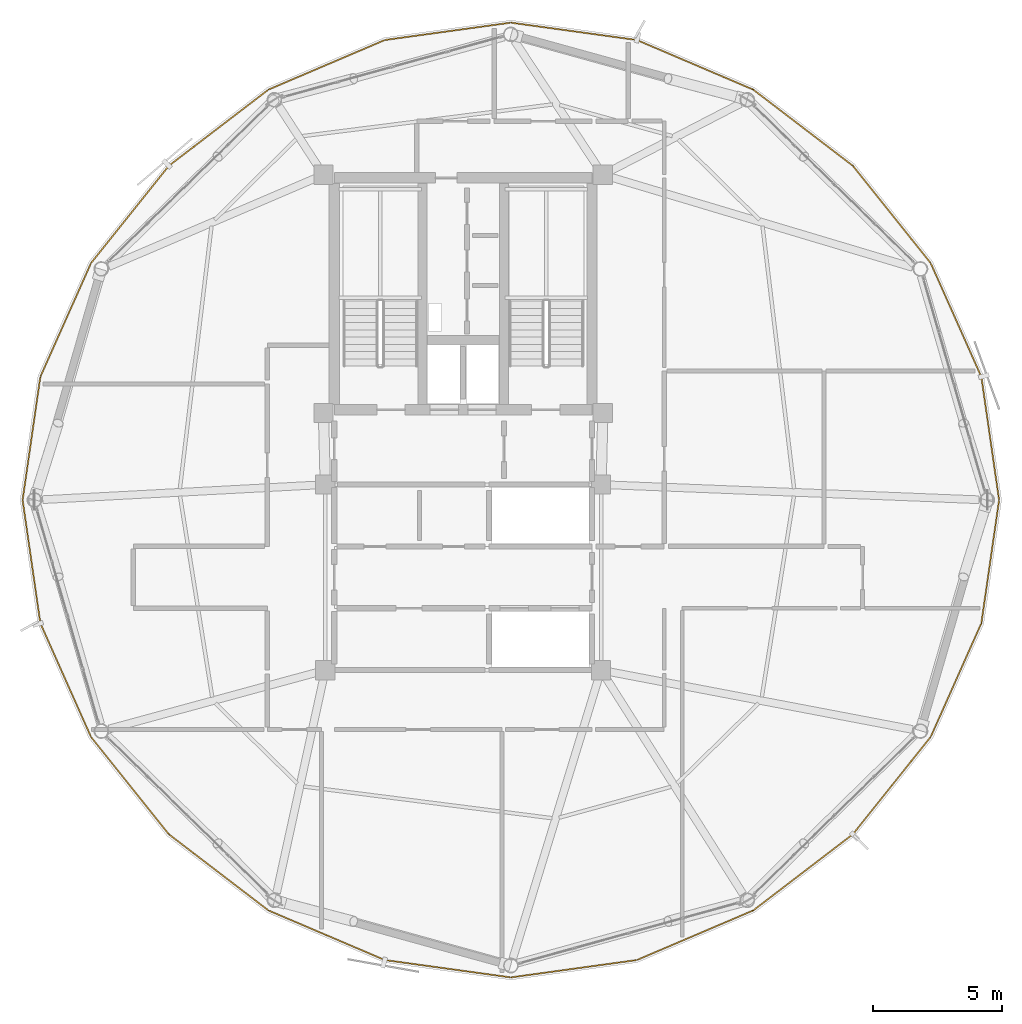
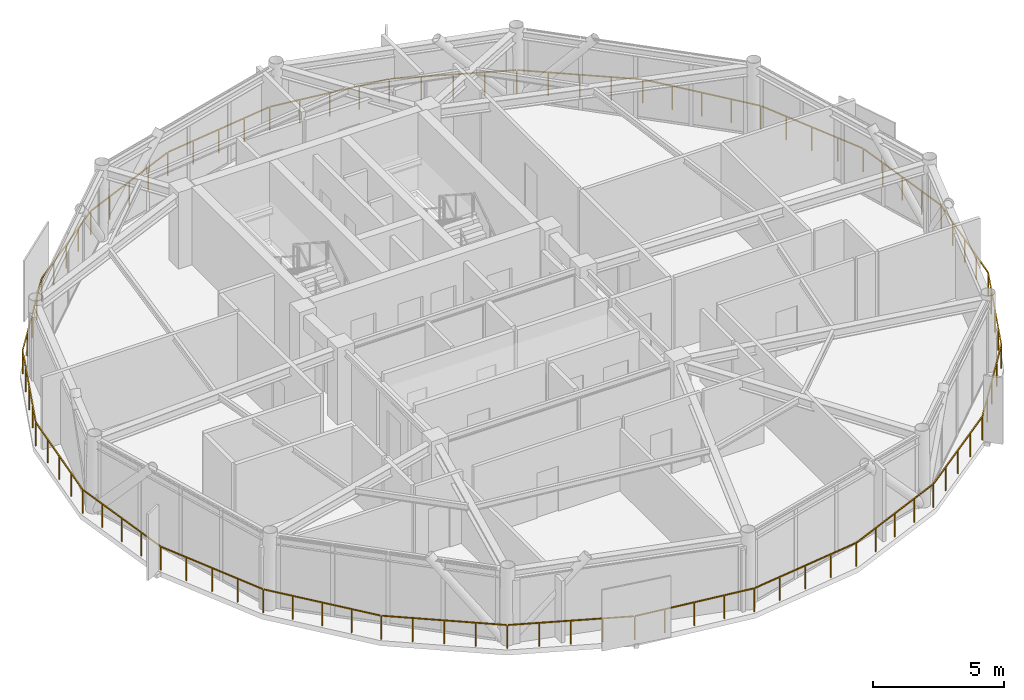
# One storey, part 26 of 27: 1 railing.
"""IFC4 building model written with IfcOpenShell, lengths in metres."""

from ifc_helpers import new_model, si_unit, direction, frame, origin, origin_2d, place, context, subcontext, project, spatial, rectangle, extrude, material, type_object, element, save


model = new_model("IFC4")

# Units and contexts
model_context = context("Model", 3, precision=1e-05, world=origin(), true_north=direction((0.0, 1.0)))
body_context = subcontext(model_context, "Body", "Model", "MODEL_VIEW")
ifc_project = project(units=[si_unit("LENGTHUNIT", "METRE"), si_unit("AREAUNIT", "SQUARE_METRE"), si_unit("VOLUMEUNIT", "CUBIC_METRE"), si_unit("PLANEANGLEUNIT", "RADIAN"), si_unit("MASSUNIT", "GRAM", prefix="KILO")], contexts=[model_context])

# Site, building, storey
site_placement = place(None, origin())
site = spatial("IfcSite", under=ifc_project, at=site_placement, CompositionType="ELEMENT")
building_placement = place(site_placement, origin())
building = spatial("IfcBuilding", under=site, at=building_placement, Name="Varnakorn Sky Granary", CompositionType="ELEMENT")
storey_placement = place(building_placement, frame((0.0, 0.0, 249.0)))
storey = spatial("IfcBuildingStorey", under=building, at=storey_placement, Name="L63", CompositionType="ELEMENT", Elevation=249.0)

# Railing
ifc_material = material(Name="Anodised Bronze Aluminium Alloy 6063-T6", Category="aluminium")
railing_type = type_object("IfcRailingType", Name="RL-BAL-1120", PredefinedType="BALUSTRADE", material=ifc_material)
railing_placement = place(storey_placement, frame((23.7939453125, 0.0, 0.0)))
element("IfcRailing", 1, at=railing_placement, inside=storey, type_object=railing_type, Name="Perimeter Slab-Edge Safety Guard L63", PredefinedType="BALUSTRADE", context=body_context, shape_type="SweptSolid", body=[
    extrude(rectangle(XDim=0.048095703125, YDim=0.048095703125, at=origin_2d()), frame((-0.00390625, -0.02783203125, 1.09619140625), z_axis=(-0.142504080223, -0.989794214531, 0.0), x_axis=(0.989794214531, -0.142504080223, 0.0)), (0.0, 0.0, 1.0), 4.773681640625),
    extrude(rectangle(XDim=0.048095703125, YDim=0.048095703125, at=origin_2d()), frame((-0.69970703125, -4.805908203125, 1.09619140625), z_axis=(-0.406954454003, -0.913448450854, 0.0), x_axis=(0.913448450854, -0.406954454003, 0.0)), (0.0, 0.0, 1.0), 4.7734375),
    extrude(rectangle(XDim=0.048095703125, YDim=0.048095703125, at=origin_2d()), frame((-2.671142578125, -9.213623046875, 1.09619140625), z_axis=(-0.624590404972, -0.780952512011, 0.0), x_axis=(0.780952512011, -0.624590404972, 0.0)), (0.0, 0.0, 1.0), 4.78125),
    extrude(rectangle(XDim=0.048095703125, YDim=0.048095703125, at=origin_2d()), frame((-5.697021484375, -12.986328125, 1.09619140625), z_axis=(-0.794431894888, -0.607353245142, 0.0), x_axis=(0.607353245142, -0.794431894888, 0.0)), (0.0, 0.0, 1.0), 4.80908203125),
    extrude(rectangle(XDim=0.048095703125, YDim=0.048095703125, at=origin_2d()), frame((-9.565673828125, -15.93505859375, 1.09619140625), z_axis=(-0.919917968263, -0.39211086655, 0.0), x_axis=(0.39211086655, -0.919917968263, 0.0)), (0.0, 0.0, 1.0), 4.850341796875),
    extrude(rectangle(XDim=0.048095703125, YDim=0.048095703125, at=origin_2d()), frame((-14.0810546875, -17.851806640625, 1.09619140625), z_axis=(-0.990628052445, -0.136587194531, 0.0), x_axis=(0.136587194531, -0.990628052445, 0.0)), (0.0, 0.0, 1.0), 4.880859375),
    extrude(rectangle(XDim=0.048095703125, YDim=0.048095703125, at=origin_2d()), frame((-18.9716796875, -18.518310546875, 1.09619140625), z_axis=(-0.990628974962, 0.136580503611, 0.0), x_axis=(-0.136580503611, -0.990628974962, 0.0)), (0.0, 0.0, 1.0), 4.881103515625),
    extrude(rectangle(XDim=0.048095703125, YDim=0.048095703125, at=origin_2d()), frame((-23.860595703125, -17.8369140625, 1.09619140625), z_axis=(-0.919917968263, 0.39211086655, 0.0), x_axis=(-0.39211086655, -0.919917968263, 0.0)), (0.0, 0.0, 1.0), 4.850341796875),
    extrude(rectangle(XDim=0.048095703125, YDim=0.048095703125, at=origin_2d()), frame((-28.370361328125, -15.906982421875, 1.09619140625), z_axis=(-0.794431894888, 0.607353245142, 0.0), x_axis=(-0.607353245142, -0.794431894888, 0.0)), (0.0, 0.0, 1.0), 4.80908203125),
    extrude(rectangle(XDim=0.048095703125, YDim=0.048095703125, at=origin_2d()), frame((-32.230712890625, -12.947265625, 1.09619140625), z_axis=(-0.624590404972, 0.780952512011, 0.0), x_axis=(-0.780952512011, -0.624590404972, 0.0)), (0.0, 0.0, 1.0), 4.78125),
    extrude(rectangle(XDim=0.048095703125, YDim=0.048095703125, at=origin_2d()), frame((-35.245849609375, -9.166015625, 1.09619140625), z_axis=(-0.40691227159, 0.91346724256, 0.0), x_axis=(-0.91346724256, -0.40691227159, 0.0)), (0.0, 0.0, 1.0), 4.773193359375),
    extrude(rectangle(XDim=0.048095703125, YDim=0.048095703125, at=origin_2d()), frame((-37.203369140625, -4.75244140625, 1.09619140625), z_axis=(-0.14255360441, 0.989787083099, 0.0), x_axis=(-0.989787083099, -0.14255360441, 0.0)), (0.0, 0.0, 1.0), 4.773681640625),
    extrude(rectangle(XDim=0.048095703125, YDim=0.048095703125, at=origin_2d()), frame((-37.884033203125, 0.02783203125, 1.09619140625), z_axis=(0.14255360441, 0.989787083099, 0.0), x_axis=(-0.989787083099, 0.14255360441, 0.0)), (0.0, 0.0, 1.0), 4.773681640625),
    extrude(rectangle(XDim=0.048095703125, YDim=0.048095703125, at=origin_2d()), frame((-37.18798828125, 4.805908203125, 1.09619140625), z_axis=(0.40691227159, 0.91346724256, 0.0), x_axis=(-0.91346724256, 0.40691227159, 0.0)), (0.0, 0.0, 1.0), 4.773193359375),
    extrude(rectangle(XDim=0.048095703125, YDim=0.048095703125, at=origin_2d()), frame((-35.216796875, 9.213623046875, 1.09619140625), z_axis=(0.624590404972, 0.780952512011, 0.0), x_axis=(-0.780952512011, 0.624590404972, 0.0)), (0.0, 0.0, 1.0), 4.78125),
    extrude(rectangle(XDim=0.048095703125, YDim=0.048095703125, at=origin_2d()), frame((-32.19091796875, 12.986328125, 1.09619140625), z_axis=(0.794431894888, 0.607353245142, 0.0), x_axis=(-0.607353245142, 0.794431894888, 0.0)), (0.0, 0.0, 1.0), 4.80908203125),
    extrude(rectangle(XDim=0.048095703125, YDim=0.048095703125, at=origin_2d()), frame((-28.322265625, 15.93505859375, 1.09619140625), z_axis=(0.919917968263, 0.39211086655, 0.0), x_axis=(-0.39211086655, 0.919917968263, 0.0)), (0.0, 0.0, 1.0), 4.850341796875),
    extrude(rectangle(XDim=0.048095703125, YDim=0.048095703125, at=origin_2d()), frame((-23.806884765625, 17.851806640625, 1.09619140625), z_axis=(0.990628974962, 0.136580503611, 0.0), x_axis=(-0.136580503611, 0.990628974962, 0.0)), (0.0, 0.0, 1.0), 4.881103515625),
    extrude(rectangle(XDim=0.048095703125, YDim=0.048095703125, at=origin_2d()), frame((-18.916015625, 18.518310546875, 1.09619140625), z_axis=(0.990628052445, -0.136587194531, 0.0), x_axis=(0.136587194531, 0.990628052445, 0.0)), (0.0, 0.0, 1.0), 4.880859375),
    extrude(rectangle(XDim=0.048095703125, YDim=0.048095703125, at=origin_2d()), frame((-14.02734375, 17.8369140625, 1.09619140625), z_axis=(0.919917968263, -0.39211086655, 0.0), x_axis=(0.39211086655, 0.919917968263, 0.0)), (0.0, 0.0, 1.0), 4.850341796875),
    extrude(rectangle(XDim=0.048095703125, YDim=0.048095703125, at=origin_2d()), frame((-9.517578125, 15.906982421875, 1.09619140625), z_axis=(0.794431894888, -0.607353245142, 0.0), x_axis=(0.607353245142, 0.794431894888, 0.0)), (0.0, 0.0, 1.0), 4.80908203125),
    extrude(rectangle(XDim=0.048095703125, YDim=0.048095703125, at=origin_2d()), frame((-5.6572265625, 12.947265625, 1.09619140625), z_axis=(0.624590404972, -0.780952512011, 0.0), x_axis=(0.780952512011, 0.624590404972, 0.0)), (0.0, 0.0, 1.0), 4.78125),
    extrude(rectangle(XDim=0.048095703125, YDim=0.048095703125, at=origin_2d()), frame((-2.64208984375, 9.166015625, 1.09619140625), z_axis=(0.406954454003, -0.913448450854, 0.0), x_axis=(0.913448450854, 0.406954454003, 0.0)), (0.0, 0.0, 1.0), 4.7734375),
    extrude(rectangle(XDim=0.048095703125, YDim=0.048095703125, at=origin_2d()), frame((-0.684326171875, 4.75244140625, 1.09619140625), z_axis=(0.142504080223, -0.989794214531, 0.0), x_axis=(0.989794214531, 0.142504080223, 0.0)), (0.0, 0.0, 1.0), 4.773681640625),
    extrude(rectangle(XDim=0.0419921875, YDim=0.0419921875, at=origin_2d()), origin(), (0.0, 0.0, 1.0), 1.068115234375),
    extrude(rectangle(XDim=0.0419921875, YDim=0.0419921875, at=origin_2d()), frame((-0.172119140625, -1.195068359375, 0.0)), (0.0, 0.0, 1.0), 1.068115234375),
    extrude(rectangle(XDim=0.0419921875, YDim=0.0419921875, at=origin_2d()), frame((-0.34423828125, -2.39013671875, 0.0)), (0.0, 0.0, 1.0), 1.068115234375),
    extrude(rectangle(XDim=0.0419921875, YDim=0.0419921875, at=origin_2d()), frame((-0.51611328125, -3.585205078125, 0.0)), (0.0, 0.0, 1.0), 1.068115234375),
    extrude(rectangle(XDim=0.0419921875, YDim=0.0419921875, at=origin_2d()), frame((-0.688232421875, -4.7802734375, 0.0)), (0.0, 0.0, 1.0), 1.068115234375),
    extrude(rectangle(XDim=0.0419921875, YDim=0.0419921875, at=origin_2d()), frame((-1.1796875, -5.883056640625, 0.0)), (0.0, 0.0, 1.0), 1.068115234375),
    extrude(rectangle(XDim=0.0419921875, YDim=0.0419921875, at=origin_2d()), frame((-1.6708984375, -6.98583984375, 0.0)), (0.0, 0.0, 1.0), 1.068115234375),
    extrude(rectangle(XDim=0.0419921875, YDim=0.0419921875, at=origin_2d()), frame((-2.162109375, -8.0888671875, 0.0)), (0.0, 0.0, 1.0), 1.068115234375),
    extrude(rectangle(XDim=0.0419921875, YDim=0.0419921875, at=origin_2d()), frame((-2.653564453125, -9.191650390625, 0.0)), (0.0, 0.0, 1.0), 1.068115234375),
    extrude(rectangle(XDim=0.0419921875, YDim=0.0419921875, at=origin_2d()), frame((-3.408935546875, -10.135986328125, 0.0)), (0.0, 0.0, 1.0), 1.068115234375),
    extrude(rectangle(XDim=0.0419921875, YDim=0.0419921875, at=origin_2d()), frame((-4.1640625, -11.08056640625, 0.0)), (0.0, 0.0, 1.0), 1.068115234375),
    extrude(rectangle(XDim=0.0419921875, YDim=0.0419921875, at=origin_2d()), frame((-4.91943359375, -12.02490234375, 0.0)), (0.0, 0.0, 1.0), 1.068115234375),
    extrude(rectangle(XDim=0.0419921875, YDim=0.0419921875, at=origin_2d()), frame((-5.6748046875, -12.96923828125, 0.0)), (0.0, 0.0, 1.0), 1.068115234375),
    extrude(rectangle(XDim=0.0419921875, YDim=0.0419921875, at=origin_2d()), frame((-6.64111328125, -13.7080078125, 0.0)), (0.0, 0.0, 1.0), 1.068115234375),
    extrude(rectangle(XDim=0.0419921875, YDim=0.0419921875, at=origin_2d()), frame((-7.607421875, -14.44677734375, 0.0)), (0.0, 0.0, 1.0), 1.068115234375),
    extrude(rectangle(XDim=0.0419921875, YDim=0.0419921875, at=origin_2d()), frame((-8.573486328125, -15.185302734375, 0.0)), (0.0, 0.0, 1.0), 1.068115234375),
    extrude(rectangle(XDim=0.0419921875, YDim=0.0419921875, at=origin_2d()), frame((-9.539794921875, -15.924072265625, 0.0)), (0.0, 0.0, 1.0), 1.068115234375),
    extrude(rectangle(XDim=0.0419921875, YDim=0.0419921875, at=origin_2d()), frame((-10.668212890625, -16.405029296875, 0.0)), (0.0, 0.0, 1.0), 1.068115234375),
    extrude(rectangle(XDim=0.0419921875, YDim=0.0419921875, at=origin_2d()), frame((-11.79638671875, -16.885986328125, 0.0)), (0.0, 0.0, 1.0), 1.068115234375),
    extrude(rectangle(XDim=0.0419921875, YDim=0.0419921875, at=origin_2d()), frame((-12.9248046875, -17.366943359375, 0.0)), (0.0, 0.0, 1.0), 1.068115234375),
    extrude(rectangle(XDim=0.0419921875, YDim=0.0419921875, at=origin_2d()), frame((-14.05322265625, -17.847900390625, 0.0)), (0.0, 0.0, 1.0), 1.068115234375),
    extrude(rectangle(XDim=0.0419921875, YDim=0.0419921875, at=origin_2d()), frame((-15.27587890625, -18.0166015625, 0.0)), (0.0, 0.0, 1.0), 1.068115234375),
    extrude(rectangle(XDim=0.0419921875, YDim=0.0419921875, at=origin_2d()), frame((-16.49853515625, -18.18505859375, 0.0)), (0.0, 0.0, 1.0), 1.068115234375),
    extrude(rectangle(XDim=0.0419921875, YDim=0.0419921875, at=origin_2d()), frame((-17.72119140625, -18.353515625, 0.0)), (0.0, 0.0, 1.0), 1.068115234375),
    extrude(rectangle(XDim=0.0419921875, YDim=0.0419921875, at=origin_2d()), frame((-18.94384765625, -18.522216796875, 0.0)), (0.0, 0.0, 1.0), 1.068115234375),
    extrude(rectangle(XDim=0.0419921875, YDim=0.0419921875, at=origin_2d()), frame((-20.16650390625, -18.353515625, 0.0)), (0.0, 0.0, 1.0), 1.068115234375),
    extrude(rectangle(XDim=0.0419921875, YDim=0.0419921875, at=origin_2d()), frame((-21.38916015625, -18.18505859375, 0.0)), (0.0, 0.0, 1.0), 1.068115234375),
    extrude(rectangle(XDim=0.0419921875, YDim=0.0419921875, at=origin_2d()), frame((-22.612060546875, -18.0166015625, 0.0)), (0.0, 0.0, 1.0), 1.068115234375),
    extrude(rectangle(XDim=0.0419921875, YDim=0.0419921875, at=origin_2d()), frame((-23.834716796875, -17.847900390625, 0.0)), (0.0, 0.0, 1.0), 1.068115234375),
    extrude(rectangle(XDim=0.0419921875, YDim=0.0419921875, at=origin_2d()), frame((-24.963134765625, -17.366943359375, 0.0)), (0.0, 0.0, 1.0), 1.068115234375),
    extrude(rectangle(XDim=0.0419921875, YDim=0.0419921875, at=origin_2d()), frame((-26.09130859375, -16.885986328125, 0.0)), (0.0, 0.0, 1.0), 1.068115234375),
    extrude(rectangle(XDim=0.0419921875, YDim=0.0419921875, at=origin_2d()), frame((-27.2197265625, -16.405029296875, 0.0)), (0.0, 0.0, 1.0), 1.068115234375),
    extrude(rectangle(XDim=0.0419921875, YDim=0.0419921875, at=origin_2d()), frame((-28.34814453125, -15.924072265625, 0.0)), (0.0, 0.0, 1.0), 1.068115234375),
    extrude(rectangle(XDim=0.0419921875, YDim=0.0419921875, at=origin_2d()), frame((-29.314453125, -15.185302734375, 0.0)), (0.0, 0.0, 1.0), 1.068115234375),
    extrude(rectangle(XDim=0.0419921875, YDim=0.0419921875, at=origin_2d()), frame((-30.28076171875, -14.44677734375, 0.0)), (0.0, 0.0, 1.0), 1.068115234375),
    extrude(rectangle(XDim=0.0419921875, YDim=0.0419921875, at=origin_2d()), frame((-31.246826171875, -13.7080078125, 0.0)), (0.0, 0.0, 1.0), 1.068115234375),
    extrude(rectangle(XDim=0.0419921875, YDim=0.0419921875, at=origin_2d()), frame((-32.213134765625, -12.96923828125, 0.0)), (0.0, 0.0, 1.0), 1.068115234375),
    extrude(rectangle(XDim=0.0419921875, YDim=0.0419921875, at=origin_2d()), frame((-32.968505859375, -12.02490234375, 0.0)), (0.0, 0.0, 1.0), 1.068115234375),
    extrude(rectangle(XDim=0.0419921875, YDim=0.0419921875, at=origin_2d()), frame((-33.7236328125, -11.08056640625, 0.0)), (0.0, 0.0, 1.0), 1.068115234375),
    extrude(rectangle(XDim=0.0419921875, YDim=0.0419921875, at=origin_2d()), frame((-34.47900390625, -10.135986328125, 0.0)), (0.0, 0.0, 1.0), 1.068115234375),
    extrude(rectangle(XDim=0.0419921875, YDim=0.0419921875, at=origin_2d()), frame((-35.234375, -9.191650390625, 0.0)), (0.0, 0.0, 1.0), 1.068115234375),
    extrude(rectangle(XDim=0.0419921875, YDim=0.0419921875, at=origin_2d()), frame((-35.7255859375, -8.0888671875, 0.0)), (0.0, 0.0, 1.0), 1.068115234375),
    extrude(rectangle(XDim=0.0419921875, YDim=0.0419921875, at=origin_2d()), frame((-36.216796875, -6.98583984375, 0.0)), (0.0, 0.0, 1.0), 1.068115234375),
    extrude(rectangle(XDim=0.0419921875, YDim=0.0419921875, at=origin_2d()), frame((-36.708251953125, -5.883056640625, 0.0)), (0.0, 0.0, 1.0), 1.068115234375),
    extrude(rectangle(XDim=0.0419921875, YDim=0.0419921875, at=origin_2d()), frame((-37.199462890625, -4.7802734375, 0.0)), (0.0, 0.0, 1.0), 1.068115234375),
    extrude(rectangle(XDim=0.0419921875, YDim=0.0419921875, at=origin_2d()), frame((-37.37158203125, -3.585205078125, 0.0)), (0.0, 0.0, 1.0), 1.068115234375),
    extrude(rectangle(XDim=0.0419921875, YDim=0.0419921875, at=origin_2d()), frame((-37.543701171875, -2.39013671875, 0.0)), (0.0, 0.0, 1.0), 1.068115234375),
    extrude(rectangle(XDim=0.0419921875, YDim=0.0419921875, at=origin_2d()), frame((-37.7158203125, -1.195068359375, 0.0)), (0.0, 0.0, 1.0), 1.068115234375),
    extrude(rectangle(XDim=0.0419921875, YDim=0.0419921875, at=origin_2d()), frame((-37.887939453125, 0.0, 0.0)), (0.0, 0.0, 1.0), 1.068115234375),
    extrude(rectangle(XDim=0.0419921875, YDim=0.0419921875, at=origin_2d()), frame((-37.7158203125, 1.195068359375, 0.0)), (0.0, 0.0, 1.0), 1.068115234375),
    extrude(rectangle(XDim=0.0419921875, YDim=0.0419921875, at=origin_2d()), frame((-37.543701171875, 2.39013671875, 0.0)), (0.0, 0.0, 1.0), 1.068115234375),
    extrude(rectangle(XDim=0.0419921875, YDim=0.0419921875, at=origin_2d()), frame((-37.37158203125, 3.585205078125, 0.0)), (0.0, 0.0, 1.0), 1.068115234375),
    extrude(rectangle(XDim=0.0419921875, YDim=0.0419921875, at=origin_2d()), frame((-37.199462890625, 4.7802734375, 0.0)), (0.0, 0.0, 1.0), 1.068115234375),
    extrude(rectangle(XDim=0.0419921875, YDim=0.0419921875, at=origin_2d()), frame((-36.708251953125, 5.883056640625, 0.0)), (0.0, 0.0, 1.0), 1.068115234375),
    extrude(rectangle(XDim=0.0419921875, YDim=0.0419921875, at=origin_2d()), frame((-36.216796875, 6.98583984375, 0.0)), (0.0, 0.0, 1.0), 1.068115234375),
    extrude(rectangle(XDim=0.0419921875, YDim=0.0419921875, at=origin_2d()), frame((-35.7255859375, 8.0888671875, 0.0)), (0.0, 0.0, 1.0), 1.068115234375),
    extrude(rectangle(XDim=0.0419921875, YDim=0.0419921875, at=origin_2d()), frame((-35.234375, 9.191650390625, 0.0)), (0.0, 0.0, 1.0), 1.068115234375),
    extrude(rectangle(XDim=0.0419921875, YDim=0.0419921875, at=origin_2d()), frame((-34.47900390625, 10.135986328125, 0.0)), (0.0, 0.0, 1.0), 1.068115234375),
    extrude(rectangle(XDim=0.0419921875, YDim=0.0419921875, at=origin_2d()), frame((-33.7236328125, 11.08056640625, 0.0)), (0.0, 0.0, 1.0), 1.068115234375),
    extrude(rectangle(XDim=0.0419921875, YDim=0.0419921875, at=origin_2d()), frame((-32.968505859375, 12.02490234375, 0.0)), (0.0, 0.0, 1.0), 1.068115234375),
    extrude(rectangle(XDim=0.0419921875, YDim=0.0419921875, at=origin_2d()), frame((-32.213134765625, 12.96923828125, 0.0)), (0.0, 0.0, 1.0), 1.068115234375),
    extrude(rectangle(XDim=0.0419921875, YDim=0.0419921875, at=origin_2d()), frame((-31.246826171875, 13.7080078125, 0.0)), (0.0, 0.0, 1.0), 1.068115234375),
    extrude(rectangle(XDim=0.0419921875, YDim=0.0419921875, at=origin_2d()), frame((-30.28076171875, 14.44677734375, 0.0)), (0.0, 0.0, 1.0), 1.068115234375),
    extrude(rectangle(XDim=0.0419921875, YDim=0.0419921875, at=origin_2d()), frame((-29.314453125, 15.185302734375, 0.0)), (0.0, 0.0, 1.0), 1.068115234375),
    extrude(rectangle(XDim=0.0419921875, YDim=0.0419921875, at=origin_2d()), frame((-28.34814453125, 15.924072265625, 0.0)), (0.0, 0.0, 1.0), 1.068115234375),
    extrude(rectangle(XDim=0.0419921875, YDim=0.0419921875, at=origin_2d()), frame((-27.2197265625, 16.405029296875, 0.0)), (0.0, 0.0, 1.0), 1.068115234375),
    extrude(rectangle(XDim=0.0419921875, YDim=0.0419921875, at=origin_2d()), frame((-26.09130859375, 16.885986328125, 0.0)), (0.0, 0.0, 1.0), 1.068115234375),
    extrude(rectangle(XDim=0.0419921875, YDim=0.0419921875, at=origin_2d()), frame((-24.963134765625, 17.366943359375, 0.0)), (0.0, 0.0, 1.0), 1.068115234375),
    extrude(rectangle(XDim=0.0419921875, YDim=0.0419921875, at=origin_2d()), frame((-23.834716796875, 17.847900390625, 0.0)), (0.0, 0.0, 1.0), 1.068115234375),
    extrude(rectangle(XDim=0.0419921875, YDim=0.0419921875, at=origin_2d()), frame((-22.612060546875, 18.0166015625, 0.0)), (0.0, 0.0, 1.0), 1.068115234375),
    extrude(rectangle(XDim=0.0419921875, YDim=0.0419921875, at=origin_2d()), frame((-21.38916015625, 18.18505859375, 0.0)), (0.0, 0.0, 1.0), 1.068115234375),
    extrude(rectangle(XDim=0.0419921875, YDim=0.0419921875, at=origin_2d()), frame((-20.16650390625, 18.353515625, 0.0)), (0.0, 0.0, 1.0), 1.068115234375),
    extrude(rectangle(XDim=0.0419921875, YDim=0.0419921875, at=origin_2d()), frame((-18.94384765625, 18.522216796875, 0.0)), (0.0, 0.0, 1.0), 1.068115234375),
    extrude(rectangle(XDim=0.0419921875, YDim=0.0419921875, at=origin_2d()), frame((-17.72119140625, 18.353515625, 0.0)), (0.0, 0.0, 1.0), 1.068115234375),
    extrude(rectangle(XDim=0.0419921875, YDim=0.0419921875, at=origin_2d()), frame((-16.49853515625, 18.18505859375, 0.0)), (0.0, 0.0, 1.0), 1.068115234375),
    extrude(rectangle(XDim=0.0419921875, YDim=0.0419921875, at=origin_2d()), frame((-15.27587890625, 18.0166015625, 0.0)), (0.0, 0.0, 1.0), 1.068115234375),
    extrude(rectangle(XDim=0.0419921875, YDim=0.0419921875, at=origin_2d()), frame((-14.05322265625, 17.847900390625, 0.0)), (0.0, 0.0, 1.0), 1.068115234375),
    extrude(rectangle(XDim=0.0419921875, YDim=0.0419921875, at=origin_2d()), frame((-12.9248046875, 17.366943359375, 0.0)), (0.0, 0.0, 1.0), 1.068115234375),
    extrude(rectangle(XDim=0.0419921875, YDim=0.0419921875, at=origin_2d()), frame((-11.79638671875, 16.885986328125, 0.0)), (0.0, 0.0, 1.0), 1.068115234375),
    extrude(rectangle(XDim=0.0419921875, YDim=0.0419921875, at=origin_2d()), frame((-10.668212890625, 16.405029296875, 0.0)), (0.0, 0.0, 1.0), 1.068115234375),
    extrude(rectangle(XDim=0.0419921875, YDim=0.0419921875, at=origin_2d()), frame((-9.539794921875, 15.924072265625, 0.0)), (0.0, 0.0, 1.0), 1.068115234375),
    extrude(rectangle(XDim=0.0419921875, YDim=0.0419921875, at=origin_2d()), frame((-8.573486328125, 15.185302734375, 0.0)), (0.0, 0.0, 1.0), 1.068115234375),
    extrude(rectangle(XDim=0.0419921875, YDim=0.0419921875, at=origin_2d()), frame((-7.607421875, 14.44677734375, 0.0)), (0.0, 0.0, 1.0), 1.068115234375),
    extrude(rectangle(XDim=0.0419921875, YDim=0.0419921875, at=origin_2d()), frame((-6.64111328125, 13.7080078125, 0.0)), (0.0, 0.0, 1.0), 1.068115234375),
    extrude(rectangle(XDim=0.0419921875, YDim=0.0419921875, at=origin_2d()), frame((-5.6748046875, 12.96923828125, 0.0)), (0.0, 0.0, 1.0), 1.068115234375),
    extrude(rectangle(XDim=0.0419921875, YDim=0.0419921875, at=origin_2d()), frame((-4.91943359375, 12.02490234375, 0.0)), (0.0, 0.0, 1.0), 1.068115234375),
    extrude(rectangle(XDim=0.0419921875, YDim=0.0419921875, at=origin_2d()), frame((-4.1640625, 11.08056640625, 0.0)), (0.0, 0.0, 1.0), 1.068115234375),
    extrude(rectangle(XDim=0.0419921875, YDim=0.0419921875, at=origin_2d()), frame((-3.408935546875, 10.135986328125, 0.0)), (0.0, 0.0, 1.0), 1.068115234375),
    extrude(rectangle(XDim=0.0419921875, YDim=0.0419921875, at=origin_2d()), frame((-2.653564453125, 9.191650390625, 0.0)), (0.0, 0.0, 1.0), 1.068115234375),
    extrude(rectangle(XDim=0.0419921875, YDim=0.0419921875, at=origin_2d()), frame((-2.162109375, 8.0888671875, 0.0)), (0.0, 0.0, 1.0), 1.068115234375),
    extrude(rectangle(XDim=0.0419921875, YDim=0.0419921875, at=origin_2d()), frame((-1.6708984375, 6.98583984375, 0.0)), (0.0, 0.0, 1.0), 1.068115234375),
    extrude(rectangle(XDim=0.0419921875, YDim=0.0419921875, at=origin_2d()), frame((-1.1796875, 5.883056640625, 0.0)), (0.0, 0.0, 1.0), 1.068115234375),
    extrude(rectangle(XDim=0.0419921875, YDim=0.0419921875, at=origin_2d()), frame((-0.688232421875, 4.7802734375, 0.0)), (0.0, 0.0, 1.0), 1.068115234375),
    extrude(rectangle(XDim=0.0419921875, YDim=0.0419921875, at=origin_2d()), frame((-0.51611328125, 3.585205078125, 0.0)), (0.0, 0.0, 1.0), 1.068115234375),
    extrude(rectangle(XDim=0.0419921875, YDim=0.0419921875, at=origin_2d()), frame((-0.34423828125, 2.39013671875, 0.0)), (0.0, 0.0, 1.0), 1.068115234375),
    extrude(rectangle(XDim=0.0419921875, YDim=0.0419921875, at=origin_2d()), frame((-0.172119140625, 1.195068359375, 0.0)), (0.0, 0.0, 1.0), 1.068115234375),
])

save(model, "model.ifc")
